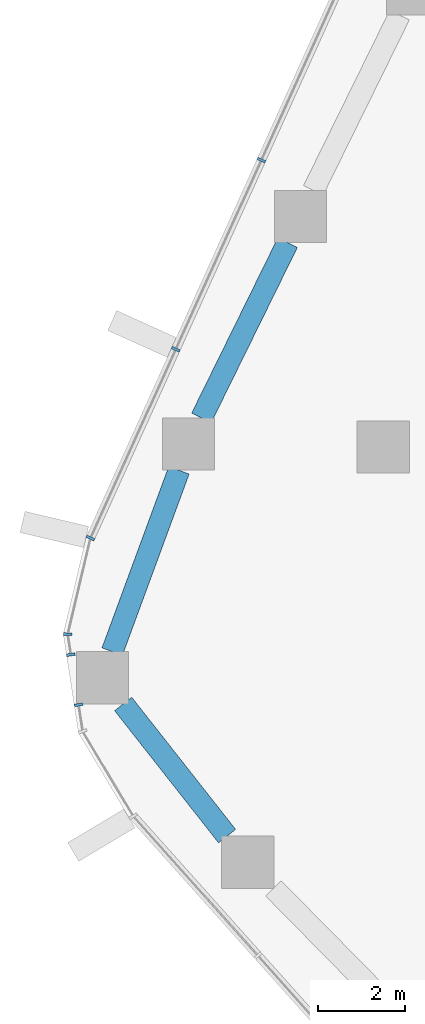
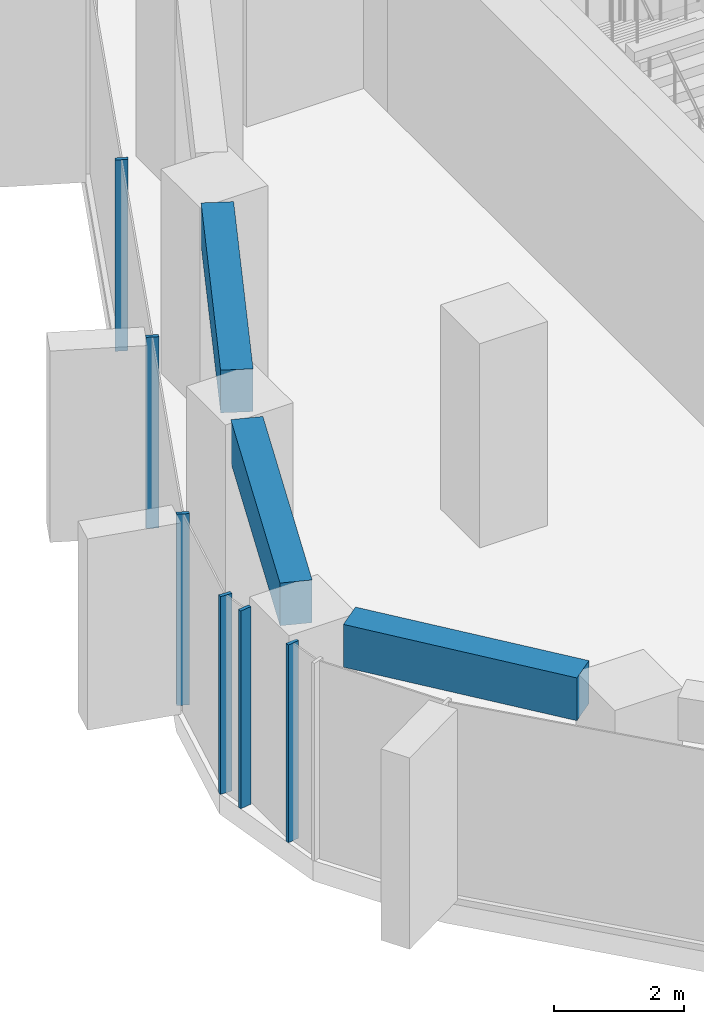
# One storey, part 3 of 18: 6 members, 3 beams, 3 elements without a shape of their own.
"""IFC4 building model written with IfcOpenShell, lengths in metres."""

from ifc_helpers import new_model, si_unit, direction, frame, origin, origin_2d, place, context, subcontext, project, spatial, rectangle, extrude, material, layer, layer_set, material_profile, profile_set, type_object, element, aggregate, save


model = new_model("IFC4")

# Units and contexts
model_context = context("Model", 3, precision=1e-05, world=origin(), true_north=direction((0.0, 1.0)))
body_context = subcontext(model_context, "Body", "Model", "MODEL_VIEW")
ifc_project = project(units=[si_unit("LENGTHUNIT", "METRE"), si_unit("AREAUNIT", "SQUARE_METRE"), si_unit("VOLUMEUNIT", "CUBIC_METRE"), si_unit("PLANEANGLEUNIT", "RADIAN"), si_unit("MASSUNIT", "GRAM", prefix="KILO")], contexts=[model_context])

# Site, building, storey
site_placement = place(None, origin())
site = spatial("IfcSite", under=ifc_project, at=site_placement, CompositionType="ELEMENT")
building_placement = place(site_placement, origin())
building = spatial("IfcBuilding", under=site, at=building_placement, Name="Dongbaek Canopy Tower", CompositionType="ELEMENT")
storey_placement = place(building_placement, frame((0.0, 0.0, 171.199951171875)))
storey = spatial("IfcBuildingStorey", under=building, at=storey_placement, Name="L37", CompositionType="ELEMENT", Elevation=171.199951171875)

# Curtain wall, members
ifc_material_1 = material(Name="Aluminium 6063-T6 pale anodised", Category="aluminium")
ifc_layer = layer(ifc_material_1, 0.199951171875)
ifc_layer_set = layer_set([ifc_layer], Name="CW-1 unitised tower curtain wall")
curtain_wall_type = type_object("IfcCurtainWallType", Name="CW-1 unitised tower curtain wall", PredefinedType="NOTDEFINED", material=ifc_layer_set)
curtain_wall_1_placement = place(storey_placement, origin())
curtain_wall_1 = element("IfcCurtainWall", 1, at=curtain_wall_1_placement, inside=storey, type_object=curtain_wall_type, Name="CW-1 curtain wall F2.1", PredefinedType="NOTDEFINED")
ifc_material_2 = material(Name="Aluminium 6063-T6 pale anodised", Category="aluminium")
ifc_material_profile_1 = material_profile(ifc_material_2, rectangle(XDim=0.199951171875, YDim=0.06005859375, at=origin_2d()), Name="CW-1 mullion 60 x 200")
ifc_profile_set_1 = profile_set([ifc_material_profile_1], Name="Aluminium 6063-T6 pale anodised")
member_type = type_object("IfcMemberType", Name="CW-1 mullion 60 x 200", PredefinedType="MULLION", material=ifc_profile_set_1)
member_1_placement = place(storey_placement, frame((-20.79443359375, 6.580078125, 0.1201171875), z_axis=(0.0, 0.0, 1.0), x_axis=(-0.911147578037, 0.412080199763, 0.0)))
member_1 = element("IfcMember", 2, at=member_1_placement, type_object=member_type, Name="CW-1 mullion F2.1.4", PredefinedType="MULLION", context=body_context, shape_type="SweptSolid", body=[
    extrude(rectangle(XDim=0.199951171875, YDim=0.06005859375, at=origin_2d()), origin(), (0.0, 0.0, 1.0), 3.579833984375),
])
member_2_placement = place(storey_placement, frame((-22.75634765625, 2.241943359375, 0.1201171875), z_axis=(0.0, 0.0, 1.0), x_axis=(-0.911147578037, 0.412080199763, 0.0)))
member_2 = element("IfcMember", 3, at=member_2_placement, type_object=member_type, Name="CW-1 mullion F2.1.5", PredefinedType="MULLION", context=body_context, shape_type="SweptSolid", body=[
    extrude(rectangle(XDim=0.199951171875, YDim=0.06005859375, at=origin_2d()), origin(), (0.0, 0.0, 1.0), 3.579833984375),
])
member_3_placement = place(storey_placement, frame((-24.714111328125, -2.087158203125, 0.1201171875), z_axis=(0.0, 0.0, 1.0), x_axis=(-0.911147578037, 0.412080199763, 0.0)))
member_3 = element("IfcMember", 4, at=member_3_placement, type_object=member_type, Name="CW-1 mullion F2.1.6", PredefinedType="MULLION", context=body_context, shape_type="SweptSolid", body=[
    extrude(rectangle(XDim=0.199951171875, YDim=0.06005859375, at=origin_2d()), origin(), (0.0, 0.0, 1.0), 3.579833984375),
])
aggregate(curtain_wall_1, [member_1, member_2, member_3])

curtain_wall_2_placement = place(storey_placement, origin())
curtain_wall_2 = element("IfcCurtainWall", 5, at=curtain_wall_2_placement, inside=storey, type_object=curtain_wall_type, Name="CW-1 curtain wall K3.1a", PredefinedType="NOTDEFINED")
member_4_placement = place(storey_placement, frame((-25.23583984375, -4.292236328125, 0.0), z_axis=(0.0, 0.0, 1.0), x_axis=(-0.999206410912, 0.039831500001, 0.0)))
member_4 = element("IfcMember", 6, at=member_4_placement, type_object=member_type, Name="CW-1 mullion K3.1a.2", PredefinedType="MULLION", context=body_context, shape_type="SweptSolid", body=[
    extrude(rectangle(XDim=0.199951171875, YDim=0.06005859375, at=origin_2d()), origin(), (0.0, 0.0, 1.0), 3.699951171875),
])
member_5_placement = place(storey_placement, frame((-25.16357421875, -4.762451171875, 0.0), z_axis=(0.0, 0.0, 1.0), x_axis=(-0.988378450695, -0.152013282979, 0.0)))
member_5 = element("IfcMember", 7, at=member_5_placement, type_object=member_type, Name="CW-1 mullion K3.1a.3", PredefinedType="MULLION", context=body_context, shape_type="SweptSolid", body=[
    extrude(rectangle(XDim=0.199951171875, YDim=0.06005859375, at=origin_2d()), origin(), (0.0, 0.0, 1.0), 3.699951171875),
])
aggregate(curtain_wall_2, [member_4, member_5])

# Curtain wall, member
curtain_wall_3_placement = place(storey_placement, origin())
curtain_wall_3 = element("IfcCurtainWall", 8, at=curtain_wall_3_placement, inside=storey, type_object=curtain_wall_type, Name="CW-1 curtain wall K3.1b", PredefinedType="NOTDEFINED")
member_6_placement = place(storey_placement, frame((-24.986328125, -5.913818359375, 0.0), z_axis=(0.0, 0.0, 1.0), x_axis=(-0.988378450695, -0.152013282979, 0.0)))
member_6 = element("IfcMember", 9, at=member_6_placement, type_object=member_type, Name="CW-1 mullion K3.1b.1", PredefinedType="MULLION", context=body_context, shape_type="SweptSolid", body=[
    extrude(rectangle(XDim=0.199951171875, YDim=0.06005859375, at=origin_2d()), origin(), (0.0, 0.0, 1.0), 3.699951171875),
])
aggregate(curtain_wall_3, [member_6])

# Beams
ifc_material_3 = material(Name="Concrete C70", Category="concrete")
ifc_material_profile_2 = material_profile(ifc_material_3, rectangle(XDim=0.5, YDim=0.800048828125, at=origin_2d()), Name="RC EDGE BEAM 500x800 C70")
ifc_profile_set_2 = profile_set([ifc_material_profile_2], Name="Concrete C70")
beam_type = type_object("IfcBeamType", Name="RC EDGE BEAM 500x800 C70", PredefinedType="BEAM", material=ifc_profile_set_2)
beam_1_placement = place(storey_placement, frame((-21.578125, -8.925048828125, 3.420166015625), z_axis=(-0.618344214718, 0.785907394115, 0.0), x_axis=(-0.785907394115, -0.618344214718, 0.0)))
element("IfcBeam", 10, at=beam_1_placement, inside=storey, type_object=beam_type, Name="EDGEBEAM:L37:07", PredefinedType="BEAM", context=body_context, shape_type="SweptSolid", body=[
    extrude(rectangle(XDim=0.5, YDim=0.800048828125, at=origin_2d()), origin(), (0.0, 0.0, 1.0), 3.856689453125),
])
beam_2_placement = place(storey_placement, frame((-24.214111328125, -4.694091796875, 3.420166015625), z_axis=(0.34534810305, 0.938474660137, 0.0), x_axis=(-0.938474660137, 0.34534810305, 0.0)))
element("IfcBeam", 11, at=beam_2_placement, inside=storey, type_object=beam_type, Name="EDGEBEAM:L37:08", PredefinedType="BEAM", context=body_context, shape_type="SweptSolid", body=[
    extrude(rectangle(XDim=0.5, YDim=0.800048828125, at=origin_2d()), origin(), (0.0, 0.0, 1.0), 4.433837890625),
])
beam_3_placement = place(storey_placement, frame((-22.1669921875, 0.6669921875, 3.420166015625), z_axis=(0.441142658474, 0.897436992147, 0.0), x_axis=(-0.897436992147, 0.441142658474, 0.0)))
element("IfcBeam", 12, at=beam_3_placement, inside=storey, type_object=beam_type, Name="EDGEBEAM:L37:09", PredefinedType="BEAM", context=body_context, shape_type="SweptSolid", body=[
    extrude(rectangle(XDim=0.5, YDim=0.800048828125, at=origin_2d()), origin(), (0.0, 0.0, 1.0), 4.4794921875),
])

save(model, "model.ifc")
